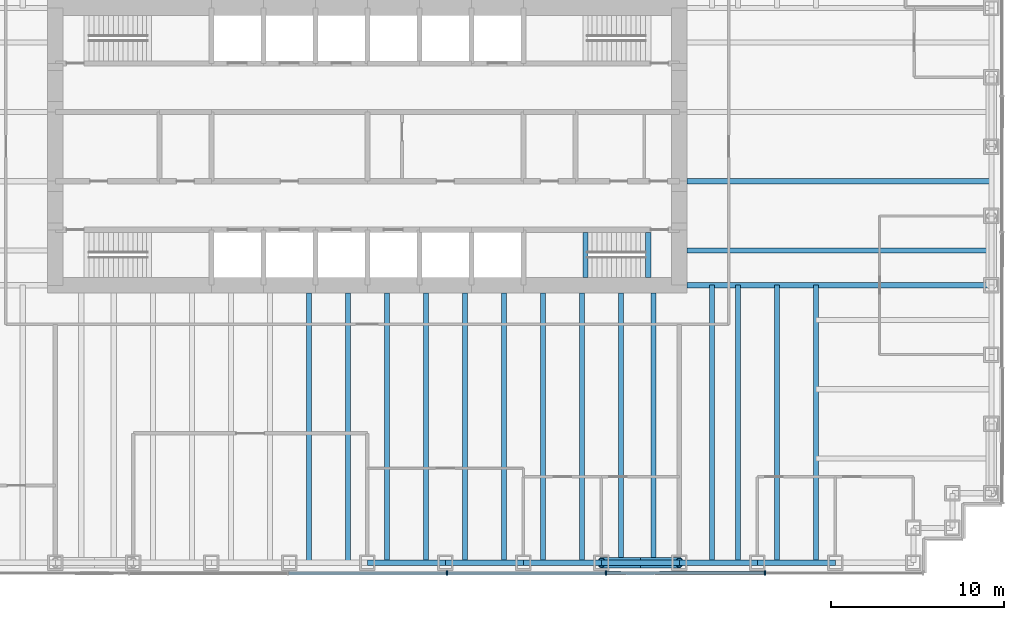
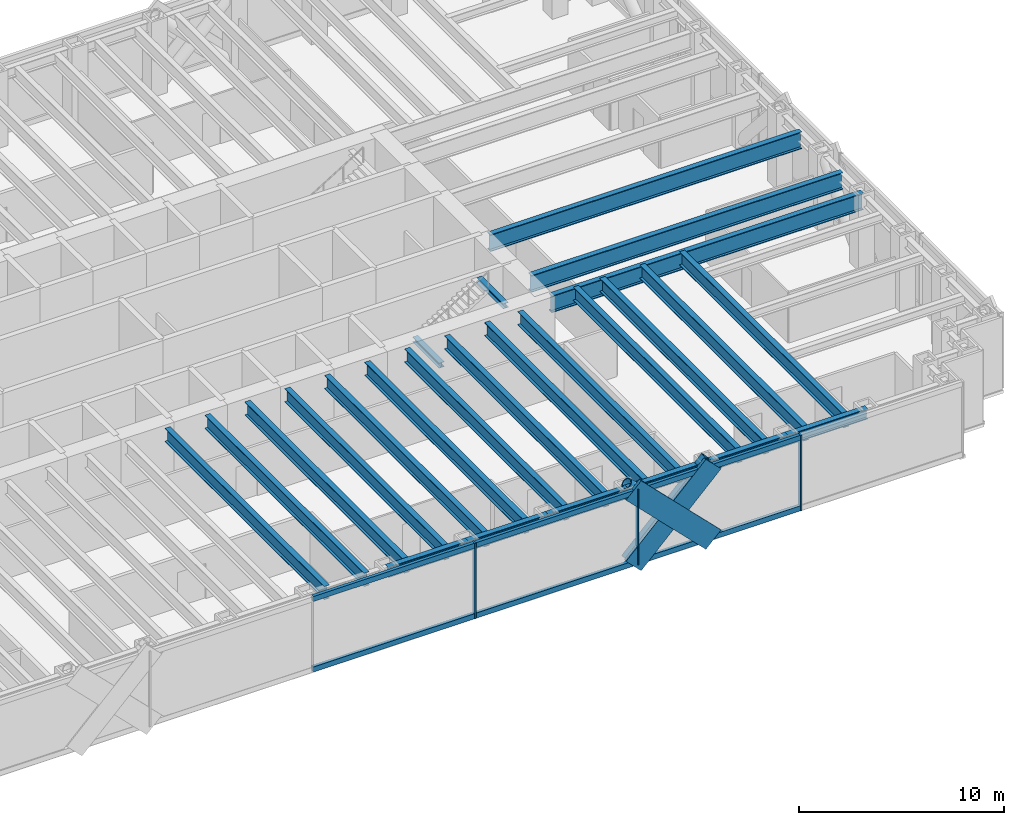
# One storey, part 3 of 13: 25 beams, 13 members, 1 element without a shape of its own.
"""IFC4 building model written with IfcOpenShell, lengths in metres."""

from ifc_helpers import new_model, si_unit, direction, frame, origin, origin_2d, place, context, subcontext, project, spatial, rectangle, hollow_circle, i_section, extrude, material, material_profile, profile_set, type_object, element, aggregate, save


model = new_model("IFC4")

# Units and contexts
model_context = context("Model", 3, precision=1e-05, world=origin(), true_north=direction((0.0, 1.0)))
body_context = subcontext(model_context, "Body", "Model", "MODEL_VIEW")
ifc_project = project(units=[si_unit("LENGTHUNIT", "METRE"), si_unit("AREAUNIT", "SQUARE_METRE"), si_unit("VOLUMEUNIT", "CUBIC_METRE"), si_unit("PLANEANGLEUNIT", "RADIAN"), si_unit("MASSUNIT", "GRAM", prefix="KILO")], contexts=[model_context])

# Site, building, storey
site_placement = place(None, origin())
site = spatial("IfcSite", under=ifc_project, at=site_placement, CompositionType="ELEMENT")
building_placement = place(site_placement, origin())
building = spatial("IfcBuilding", under=site, at=building_placement, Name="Rheinbord Bourse Tower", CompositionType="ELEMENT")
storey_placement = place(building_placement, frame((0.0, 0.0, 77.0)))
storey = spatial("IfcBuildingStorey", under=building, at=storey_placement, Name="L16", CompositionType="ELEMENT", Elevation=77.0)

# Curtain wall, members
ifc_material_1 = material(Name="Dark glass and black aluminium", Category="aluminium")
curtain_wall_type = type_object("IfcCurtainWallType", Name="CW1 DARK GLASS CURTAIN WALL", PredefinedType="USERDEFINED", material=ifc_material_1)
curtain_wall_placement = place(storey_placement, origin())
curtain_wall = element("IfcCurtainWall", 1, at=curtain_wall_placement, inside=storey, type_object=curtain_wall_type, Name="Curtain wall CW1 S L16", ObjectType="UNITISED CURTAIN WALL", PredefinedType="USERDEFINED")
ifc_material_2 = material(Name="Black anodised aluminium", Category="aluminium")
ifc_material_profile_1 = material_profile(ifc_material_2, rectangle(XDim=0.179931640625, YDim=1.2099609375, at=origin_2d()), Name="CW1 DIAGONAL MULLION 1210x180")
ifc_profile_set_1 = profile_set([ifc_material_profile_1], Name="Black anodised aluminium")
member_type_1 = type_object("IfcMemberType", Name="CW1 BLACK DIAGONAL MULLION", PredefinedType="USERDEFINED", material=ifc_profile_set_1)
member_1_placement = place(storey_placement, frame((54.0, -0.60009765625, 0.0), z_axis=(-0.707106781187, 0.0, 0.707106781187), x_axis=(0.0, -1.0, 0.0)))
member_1 = element("IfcMember", 2, at=member_1_placement, type_object=member_type_1, Name="CW1 diagonal mullion a", ObjectType="DIAGONAL MULLION", PredefinedType="USERDEFINED", context=body_context, shape_type="SweptSolid", body=[
    extrude(rectangle(XDim=0.179931640625, YDim=1.2099609375, at=origin_2d()), origin(), (0.0, 0.0, 1.0), 6.364013671875),
])
member_2_placement = place(storey_placement, frame((49.5, -0.60009765625, 0.0), z_axis=(0.707106781187, 0.0, 0.707106781187), x_axis=(0.0, 1.0, 0.0)))
member_2 = element("IfcMember", 3, at=member_2_placement, type_object=member_type_1, Name="CW1 diagonal mullion d", ObjectType="DIAGONAL MULLION", PredefinedType="USERDEFINED", context=body_context, shape_type="SweptSolid", body=[
    extrude(rectangle(XDim=0.179931640625, YDim=1.2099609375, at=origin_2d()), origin(), (0.0, 0.0, 1.0), 6.364013671875),
])
ifc_material_3 = material(Name="Black anodised aluminium", Category="aluminium")
ifc_material_profile_2 = material_profile(ifc_material_3, rectangle(XDim=0.25, YDim=0.080078125, at=origin_2d()), Name="CW1 MULLION 80x250")
ifc_profile_set_2 = profile_set([ifc_material_profile_2], Name="Black anodised aluminium")
member_type_2 = type_object("IfcMemberType", Name="CW1 BLACK MULLION", PredefinedType="MULLION", material=ifc_profile_set_2)
member_3_placement = place(storey_placement, frame((40.585693359375, -0.60009765625, 0.0), z_axis=(0.0, 0.0, 1.0), x_axis=(0.0, 1.0, 0.0)))
member_3 = element("IfcMember", 4, at=member_3_placement, type_object=member_type_2, Name="CW1 mullion 5", PredefinedType="MULLION", context=body_context, shape_type="SweptSolid", body=[
    extrude(rectangle(XDim=0.25, YDim=0.080078125, at=origin_2d()), origin(), (0.0, 0.0, 1.0), 4.5),
])
member_4_placement = place(storey_placement, frame((49.757080078125, -0.60009765625, 0.0), z_axis=(0.0, 0.0, 1.0), x_axis=(0.0, 1.0, 0.0)))
member_4 = element("IfcMember", 5, at=member_4_placement, type_object=member_type_2, Name="CW1 mullion 6", PredefinedType="MULLION", context=body_context, shape_type="SweptSolid", body=[
    extrude(rectangle(XDim=0.25, YDim=0.080078125, at=origin_2d()), origin(), (0.0, 0.0, 1.0), 4.5),
])
member_5_placement = place(storey_placement, frame((58.928466796875, -0.60009765625, 0.0), z_axis=(0.0, 0.0, 1.0), x_axis=(0.0, 1.0, 0.0)))
member_5 = element("IfcMember", 6, at=member_5_placement, type_object=member_type_2, Name="CW1 mullion 7", PredefinedType="MULLION", context=body_context, shape_type="SweptSolid", body=[
    extrude(rectangle(XDim=0.25, YDim=0.080078125, at=origin_2d()), origin(), (0.0, 0.0, 1.0), 4.5),
])
ifc_material_4 = material(Name="Black anodised aluminium", Category="aluminium")
ifc_material_profile_3 = material_profile(ifc_material_4, rectangle(XDim=0.179931640625, YDim=0.300048828125, at=origin_2d()), Name="CW1 TRANSOM 300x180")
ifc_profile_set_3 = profile_set([ifc_material_profile_3], Name="Black anodised aluminium")
member_type_3 = type_object("IfcMemberType", Name="CW1 BLACK TRANSOM", PredefinedType="USERDEFINED", material=ifc_profile_set_3)
member_6_placement = place(storey_placement, frame((31.454345703125, -0.60009765625, 0.14990234375), z_axis=(1.0, 0.0, 0.0), x_axis=(0.0, 1.0, 0.0)))
member_6 = element("IfcMember", 7, at=member_6_placement, type_object=member_type_3, Name="CW1 transom 4.1", ObjectType="TRANSOM", PredefinedType="USERDEFINED", context=body_context, shape_type="SweptSolid", body=[
    extrude(rectangle(XDim=0.179931640625, YDim=0.300048828125, at=origin_2d()), origin(), (0.0, 0.0, 1.0), 9.09130859375),
])
member_7_placement = place(storey_placement, frame((31.454345703125, -0.60009765625, 4.35009765625), z_axis=(1.0, 0.0, 0.0), x_axis=(0.0, 1.0, 0.0)))
member_7 = element("IfcMember", 8, at=member_7_placement, type_object=member_type_3, Name="CW1 transom 4.2", ObjectType="TRANSOM", PredefinedType="USERDEFINED", context=body_context, shape_type="SweptSolid", body=[
    extrude(rectangle(XDim=0.179931640625, YDim=0.300048828125, at=origin_2d()), origin(), (0.0, 0.0, 1.0), 9.09130859375),
])
member_8_placement = place(storey_placement, frame((40.625732421875, -0.60009765625, 0.14990234375), z_axis=(1.0, 0.0, 0.0), x_axis=(0.0, 1.0, 0.0)))
member_8 = element("IfcMember", 9, at=member_8_placement, type_object=member_type_3, Name="CW1 transom 5.1", ObjectType="TRANSOM", PredefinedType="USERDEFINED", context=body_context, shape_type="SweptSolid", body=[
    extrude(rectangle(XDim=0.179931640625, YDim=0.300048828125, at=origin_2d()), origin(), (0.0, 0.0, 1.0), 9.09130859375),
])
member_9_placement = place(storey_placement, frame((40.625732421875, -0.60009765625, 4.35009765625), z_axis=(1.0, 0.0, 0.0), x_axis=(0.0, 1.0, 0.0)))
member_9 = element("IfcMember", 10, at=member_9_placement, type_object=member_type_3, Name="CW1 transom 5.2", ObjectType="TRANSOM", PredefinedType="USERDEFINED", context=body_context, shape_type="SweptSolid", body=[
    extrude(rectangle(XDim=0.179931640625, YDim=0.300048828125, at=origin_2d()), origin(), (0.0, 0.0, 1.0), 9.09130859375),
])
member_10_placement = place(storey_placement, frame((49.797119140625, -0.60009765625, 0.14990234375), z_axis=(1.0, 0.0, 0.0), x_axis=(0.0, 1.0, 0.0)))
member_10 = element("IfcMember", 11, at=member_10_placement, type_object=member_type_3, Name="CW1 transom 6.1", ObjectType="TRANSOM", PredefinedType="USERDEFINED", context=body_context, shape_type="SweptSolid", body=[
    extrude(rectangle(XDim=0.179931640625, YDim=0.300048828125, at=origin_2d()), origin(), (0.0, 0.0, 1.0), 9.091552734375),
])
member_11_placement = place(storey_placement, frame((49.797119140625, -0.60009765625, 4.35009765625), z_axis=(1.0, 0.0, 0.0), x_axis=(0.0, 1.0, 0.0)))
member_11 = element("IfcMember", 12, at=member_11_placement, type_object=member_type_3, Name="CW1 transom 6.2", ObjectType="TRANSOM", PredefinedType="USERDEFINED", context=body_context, shape_type="SweptSolid", body=[
    extrude(rectangle(XDim=0.179931640625, YDim=0.300048828125, at=origin_2d()), origin(), (0.0, 0.0, 1.0), 9.091552734375),
])
aggregate(curtain_wall, [member_3, member_4, member_5, member_6, member_7, member_8, member_9, member_10, member_11, member_1, member_2])

# Beams
ifc_material_5 = material(Name="Steel S460", Category="steel")
ifc_material_profile_4 = material_profile(ifc_material_5, i_section(OverallWidth=0.302001953125, OverallDepth=1.008056640625, WebThickness=0.02099609375, FlangeThickness=0.0400390625, at=origin_2d()), Name="HEM 1000")
ifc_profile_set_4 = profile_set([ifc_material_profile_4], Name="Steel S460")
beam_type_1 = type_object("IfcBeamType", Name="END BEAM HEM 1000", PredefinedType="BEAM", material=ifc_profile_set_4)
for number, where, z_axis, x_axis, name in (
    (13, (54.449951171875, 18.0, 3.81591796875), (1.0, 0.0, 0.0), (0.0, 1.0, 0.0), "End beam east 18 L17"),
    (14, (54.449951171875, 22.0, 3.81591796875), (1.0, 0.0, 0.0), (0.0, 1.0, 0.0), "End beam east 22 L17"),
):
    element("IfcBeam", number, at=place(storey_placement, frame(where, z_axis=z_axis, x_axis=x_axis)), inside=storey, type_object=beam_type_1, Name=name, PredefinedType="BEAM", context=body_context, shape_type="SweptSolid", body=[
        extrude(i_section(OverallWidth=0.302001953125, OverallDepth=1.008056640625, WebThickness=0.02099609375, FlangeThickness=0.0400390625, at=origin_2d()), origin(), (0.0, 0.0, 1.0), 17.550048828125),
    ])
ifc_material_6 = material(Name="Steel S460", Category="steel")
ifc_material_profile_5 = material_profile(ifc_material_6, i_section(OverallWidth=0.300048828125, OverallDepth=0.800048828125, WebThickness=0.017578125, FlangeThickness=0.032958984375, at=origin_2d()), Name="HEB 800")
ifc_profile_set_5 = profile_set([ifc_material_profile_5], Name="Steel S460")
beam_type_2 = type_object("IfcBeamType", Name="FLOOR BEAM HEB 800", PredefinedType="BEAM", material=ifc_profile_set_5)
for number, where, z_axis, x_axis, name in (
    (15, (32.625, 0.0, 3.919921875), (0.0, 1.0, 0.0), (-1.0, 0.0, 0.0), "Floor beam S-31.5a L17"),
    (16, (34.875, 0.0, 3.919921875), (0.0, 1.0, 0.0), (-1.0, 0.0, 0.0), "Floor beam S-31.5b L17"),
    (17, (37.125, 0.0, 3.919921875), (0.0, 1.0, 0.0), (-1.0, 0.0, 0.0), "Floor beam S-36a L17"),
    (18, (39.375, 0.0, 3.919921875), (0.0, 1.0, 0.0), (-1.0, 0.0, 0.0), "Floor beam S-36b L17"),
    (19, (41.625, 0.0, 3.919921875), (0.0, 1.0, 0.0), (-1.0, 0.0, 0.0), "Floor beam S-40.5a L17"),
    (20, (43.875, 0.0, 3.919921875), (0.0, 1.0, 0.0), (-1.0, 0.0, 0.0), "Floor beam S-40.5b L17"),
    (21, (46.125, 0.0, 3.919921875), (0.0, 1.0, 0.0), (-1.0, 0.0, 0.0), "Floor beam S-45a L17"),
    (22, (48.375, 0.0, 3.919921875), (0.0, 1.0, 0.0), (-1.0, 0.0, 0.0), "Floor beam S-45b L17"),
    (23, (50.625, 0.0, 3.919921875), (0.0, 1.0, 0.0), (-1.0, 0.0, 0.0), "Floor beam S-49.5a L17"),
    (24, (52.5, 0.0, 3.919921875), (0.0, 1.0, 0.0), (-1.0, 0.0, 0.0), "Floor beam S-49.5b L17"),
):
    element("IfcBeam", number, at=place(storey_placement, frame(where, z_axis=z_axis, x_axis=x_axis)), inside=storey, type_object=beam_type_2, Name=name, PredefinedType="BEAM", context=body_context, shape_type="SweptSolid", body=[
        extrude(i_section(OverallWidth=0.300048828125, OverallDepth=0.800048828125, WebThickness=0.017578125, FlangeThickness=0.032958984375, at=origin_2d()), origin(), (0.0, 0.0, 1.0), 15.550048828125),
    ])
for number, where, z_axis, x_axis, name in (
    (25, (55.875, 0.0, 3.919921875), (0.0, 1.0, 0.0), (-1.0, 0.0, 0.0), "Floor beam S-54a L17"),
    (26, (57.375, 0.0, 3.919921875), (0.0, 1.0, 0.0), (-1.0, 0.0, 0.0), "Floor beam S-54b L17"),
    (27, (59.625, 0.0, 3.919921875), (0.0, 1.0, 0.0), (-1.0, 0.0, 0.0), "Floor beam S-58.5a L17"),
    (28, (61.875, 0.0, 3.919921875), (0.0, 1.0, 0.0), (-1.0, 0.0, 0.0), "Floor beam S-58.5b L17"),
):
    element("IfcBeam", number, at=place(storey_placement, frame(where, z_axis=z_axis, x_axis=x_axis)), inside=storey, type_object=beam_type_2, Name=name, PredefinedType="BEAM", context=body_context, shape_type="SweptSolid", body=[
        extrude(i_section(OverallWidth=0.300048828125, OverallDepth=0.800048828125, WebThickness=0.017578125, FlangeThickness=0.032958984375, at=origin_2d()), origin(), (0.0, 0.0, 1.0), 16.0),
    ])
ifc_material_7 = material(Name="Steel S460", Category="steel")
ifc_material_profile_6 = material_profile(ifc_material_7, i_section(OverallWidth=0.302001953125, OverallDepth=1.008056640625, WebThickness=0.02099609375, FlangeThickness=0.0400390625, at=origin_2d()), Name="HEM 1000")
ifc_profile_set_6 = profile_set([ifc_material_profile_6], Name="Steel S460")
beam_type_3 = type_object("IfcBeamType", Name="GIRDER HEM 1000", PredefinedType="BEAM", material=ifc_profile_set_6)
beam_placement = place(storey_placement, frame((54.449951171875, 16.0, 3.81591796875), z_axis=(1.0, 0.0, 0.0), x_axis=(0.0, 1.0, 0.0)))
element("IfcBeam", 29, at=beam_placement, inside=storey, type_object=beam_type_3, Name="Girder east 16 L17", PredefinedType="BEAM", context=body_context, shape_type="SweptSolid", body=[
    extrude(i_section(OverallWidth=0.302001953125, OverallDepth=1.008056640625, WebThickness=0.02099609375, FlangeThickness=0.0400390625, at=origin_2d()), origin(), (0.0, 0.0, 1.0), 17.550048828125),
])
ifc_material_8 = material(Name="Steel S460", Category="steel")
ifc_material_profile_7 = material_profile(ifc_material_8, i_section(OverallWidth=0.300048828125, OverallDepth=0.300048828125, WebThickness=0.010986328125, FlangeThickness=0.01904296875, at=origin_2d()), Name="HEB 300")
ifc_profile_set_7 = profile_set([ifc_material_profile_7], Name="Steel S460")
beam_type_4 = type_object("IfcBeamType", Name="LANDING TRIMMER HEB 300", PredefinedType="BEAM", material=ifc_profile_set_7)
for number, where, z_axis, x_axis, name in (
    (30, (48.590087890625, 16.449951171875, 1.89990234375), (0.0, 1.0, 0.0), (-1.0, 0.0, 0.0), "Landing trimmer ST3 L16"),
    (31, (52.199951171875, 16.449951171875, 4.169921875), (0.0, 1.0, 0.0), (-1.0, 0.0, 0.0), "Well trimmer ST3 under L17"),
):
    element("IfcBeam", number, at=place(storey_placement, frame(where, z_axis=z_axis, x_axis=x_axis)), inside=storey, type_object=beam_type_4, Name=name, PredefinedType="BEAM", context=body_context, shape_type="SweptSolid", body=[
        extrude(i_section(OverallWidth=0.300048828125, OverallDepth=0.300048828125, WebThickness=0.010986328125, FlangeThickness=0.01904296875, at=origin_2d()), origin(), (0.0, 0.0, 1.0), 2.60009765625),
    ])

# Members
ifc_material_9 = material(Name="Steel S460", Category="steel")
ifc_material_profile_8 = material_profile(ifc_material_9, hollow_circle(Radius=0.304931640625, WallThickness=0.050048828125, at=origin_2d()), Name="CHS 610x50")
ifc_profile_set_8 = profile_set([ifc_material_profile_8], Name="Steel S460")
member_type_4 = type_object("IfcMemberType", Name="MEGABRACE CHS 610x50", PredefinedType="BRACE", material=ifc_profile_set_8)
for number, where, z_axis, x_axis, name in (
    (32, (54.0, 0.0, 0.0), (-0.707106781187, 0.0, 0.707106781187), (0.0, -1.0, 0.0), "Megabrace S face line a L16"),
    (33, (49.5, 0.0, 0.0), (0.707106781187, 0.0, 0.707106781187), (0.0, 1.0, 0.0), "Megabrace S face line d L16"),
):
    element("IfcMember", number, at=place(storey_placement, frame(where, z_axis=z_axis, x_axis=x_axis)), inside=storey, type_object=member_type_4, Name=name, PredefinedType="BRACE", context=body_context, shape_type="SweptSolid", body=[
        extrude(hollow_circle(Radius=0.304931640625, WallThickness=0.050048828125, at=origin_2d()), origin(), (0.0, 0.0, 1.0), 6.364013671875),
    ])

# Beams
ifc_material_10 = material(Name="Steel S460", Category="steel")
ifc_material_profile_9 = material_profile(ifc_material_10, i_section(OverallWidth=0.304931640625, OverallDepth=0.6201171875, WebThickness=0.02099609375, FlangeThickness=0.0400390625, at=origin_2d()), Name="HEM 600")
ifc_profile_set_9 = profile_set([ifc_material_profile_9], Name="Steel S460")
beam_type_5 = type_object("IfcBeamType", Name="SPANDREL HEM 600", PredefinedType="SPANDREL", material=ifc_profile_set_9)
for number, where, z_axis, x_axis, name in (
    (34, (36.0, 0.0, 4.010009765625), (1.0, 0.0, 0.0), (0.0, 1.0, 0.0), "Spandrel S-36-S-40.5 under L17"),
    (35, (40.5, 0.0, 4.010009765625), (1.0, 0.0, 0.0), (0.0, 1.0, 0.0), "Spandrel S-40.5-S-45 under L17"),
    (36, (45.0, 0.0, 4.010009765625), (1.0, 0.0, 0.0), (0.0, 1.0, 0.0), "Spandrel S-45-S-49.5 under L17"),
    (37, (49.5, 0.0, 4.010009765625), (1.0, 0.0, 0.0), (0.0, 1.0, 0.0), "Spandrel S-49.5-S-54 under L17"),
    (38, (54.0, 0.0, 4.010009765625), (1.0, 0.0, 0.0), (0.0, 1.0, 0.0), "Spandrel S-54-S-58.5 under L17"),
    (39, (58.5, 0.0, 4.010009765625), (1.0, 0.0, 0.0), (0.0, 1.0, 0.0), "Spandrel S-58.5-S-63 under L17"),
):
    element("IfcBeam", number, at=place(storey_placement, frame(where, z_axis=z_axis, x_axis=x_axis)), inside=storey, type_object=beam_type_5, Name=name, PredefinedType="SPANDREL", context=body_context, shape_type="SweptSolid", body=[
        extrude(i_section(OverallWidth=0.304931640625, OverallDepth=0.6201171875, WebThickness=0.02099609375, FlangeThickness=0.0400390625, at=origin_2d()), origin(), (0.0, 0.0, 1.0), 4.5),
    ])

save(model, "model.ifc")
